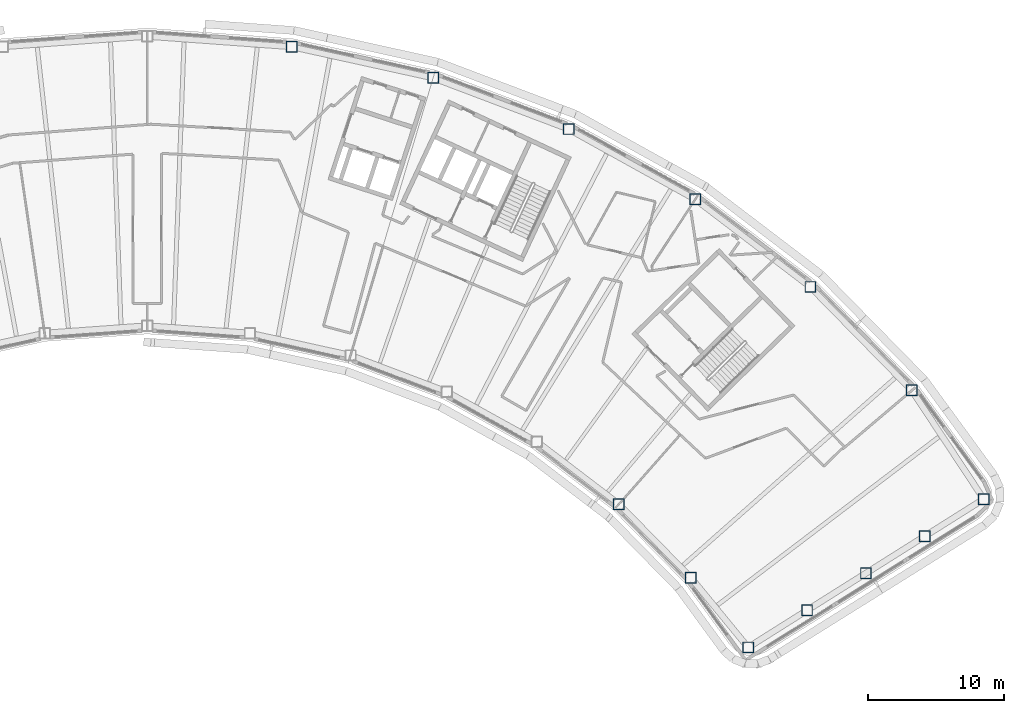
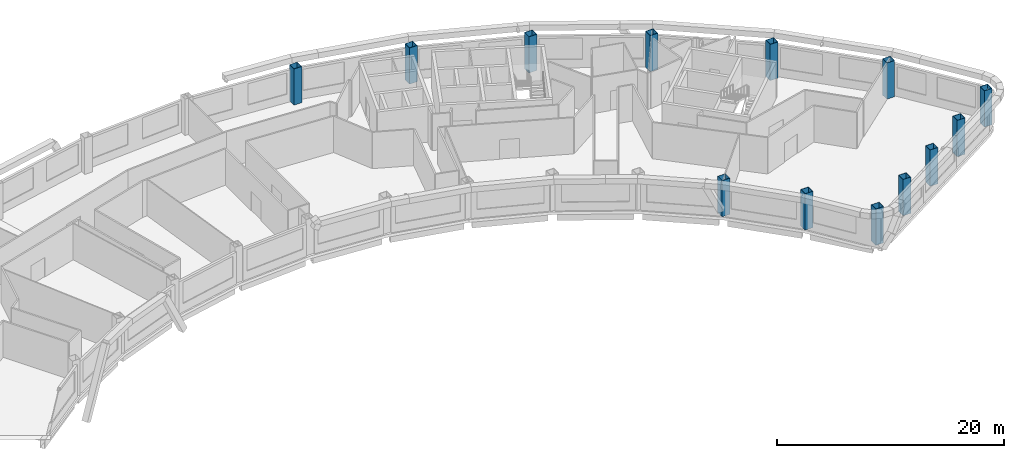
# One storey, part 2 of 16: 13 columns.
"""IFC4 building model written with IfcOpenShell, lengths in metres."""

from ifc_helpers import new_model, si_unit, direction, frame, origin, origin_2d, place, context, subcontext, project, spatial, hollow_rectangle, extrude, material, material_profile, profile_set, type_object, element, save


model = new_model("IFC4")

# Units and contexts
model_context = context("Model", 3, precision=1e-05, world=origin(), true_north=direction((0.0, 1.0)))
body_context = subcontext(model_context, "Body", "Model", "MODEL_VIEW")
ifc_project = project(units=[si_unit("LENGTHUNIT", "METRE"), si_unit("AREAUNIT", "SQUARE_METRE"), si_unit("VOLUMEUNIT", "CUBIC_METRE"), si_unit("PLANEANGLEUNIT", "RADIAN"), si_unit("MASSUNIT", "GRAM", prefix="KILO")], contexts=[model_context])

# Site, building, storey
site_placement = place(None, origin())
site = spatial("IfcSite", under=ifc_project, at=site_placement, CompositionType="ELEMENT")
building_placement = place(site_placement, origin())
building = spatial("IfcBuilding", under=site, at=building_placement, Name="Tuul Gate Civic Tower", CompositionType="ELEMENT")
storey_placement = place(building_placement, frame((0.0, 0.0, 298.39990234375)))
storey = spatial("IfcBuildingStorey", under=building, at=storey_placement, Name="Level 67", CompositionType="ELEMENT", Elevation=298.39990234375)

# Columns
ifc_material = material(Name="Steel S355", Category="steel")
ifc_material_profile = material_profile(ifc_material, hollow_rectangle(XDim=0.800048828125, YDim=0.800048828125, WallThickness=0.031982421875, at=origin_2d()), Name="BOX800x800x32")
ifc_profile_set = profile_set([ifc_material_profile], Name="Steel S355")
column_type = type_object("IfcColumnType", Name="STR-COLUMN-BOX800x800x32", PredefinedType="COLUMN", material=ifc_profile_set)
for number, where, z_axis, x_axis, name in (
    (1, (68.458984375, -24.89697265625, 0.0), (0.0, 0.0, 1.0), (1.0, 0.0, 0.0), "Column"),
    (2, (63.159912109375, -16.884033203125, 0.0), (0.0, 0.0, 1.0), (1.0, 0.0, 0.0), "Column"),
    (3, (55.68603515625, -9.259033203125, 0.0), (0.0, 0.0, 1.0), (1.0, 0.0, 0.0), "Column"),
    (4, (47.19091796875, -2.791015625, 0.0), (0.0, 0.0, 1.0), (1.0, 0.0, 0.0), "Column"),
    (5, (37.85205078125, 2.385009765625, 0.0), (0.0, 0.0, 1.0), (1.0, 0.0, 0.0), "Column"),
    (6, (27.864990234375, 6.162109375, 0.0), (0.0, 0.0, 1.0), (1.0, 0.0, 0.0), "Column"),
    (7, (17.43798828125, 8.4599609375, 0.0), (0.0, 0.0, 1.0), (1.0, 0.0, 0.0), "Column"),
    (8, (41.554931640625, -25.27099609375, 0.0), (0.0, 0.0, 1.0), (1.0, 0.0, 0.0), "Column"),
    (9, (46.868896484375, -30.693115234375, 0.0), (0.0, 0.0, 1.0), (1.0, 0.0, 0.0), "Column"),
    (10, (51.089111328125, -35.8349609375, 0.0), (0.0, 0.0, 1.0), (1.0, 0.0, 0.0), "Column"),
    (11, (55.431884765625, -33.10009765625, 0.0), (0.0, 0.0, 1.0), (1.0, 0.0, 0.0), "Column"),
    (12, (59.77392578125, -30.365966796875, 0.0), (0.0, 0.0, 1.0), (1.0, 0.0, 0.0), "Column"),
    (13, (64.116943359375, -27.631103515625, 0.0), (0.0, 0.0, 1.0), (1.0, 0.0, 0.0), "Column"),
):
    element("IfcColumn", number, at=place(storey_placement, frame(where, z_axis=z_axis, x_axis=x_axis)), inside=storey, type_object=column_type, Name=name, PredefinedType="COLUMN", context=body_context, shape_type="SweptSolid", body=[
        extrude(hollow_rectangle(XDim=0.800048828125, YDim=0.800048828125, WallThickness=0.031982421875, at=origin_2d()), origin(), (0.0, 0.0, 1.0), 3.900146484375),
    ])

save(model, "model.ifc")
